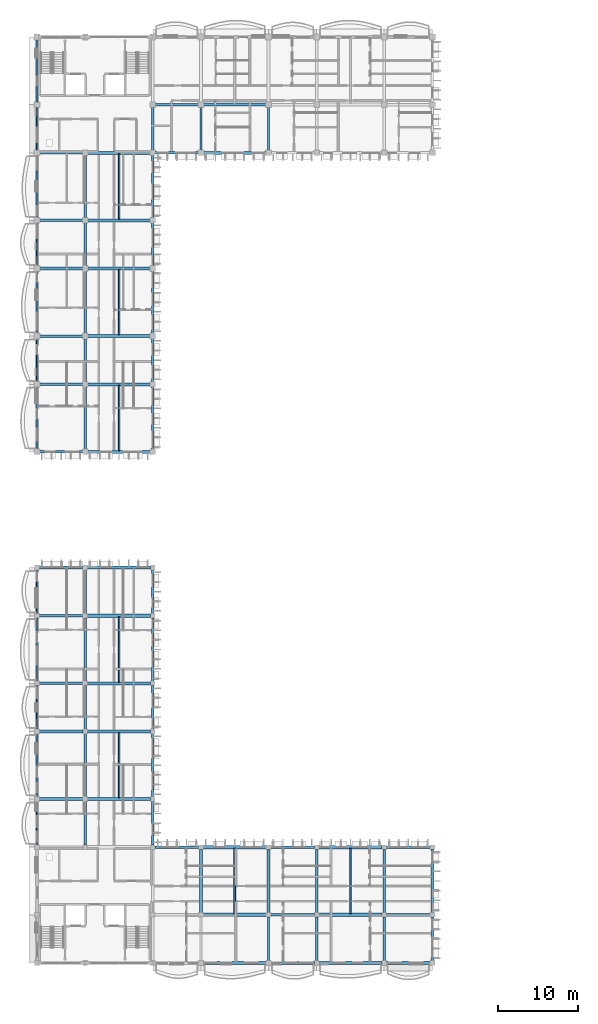
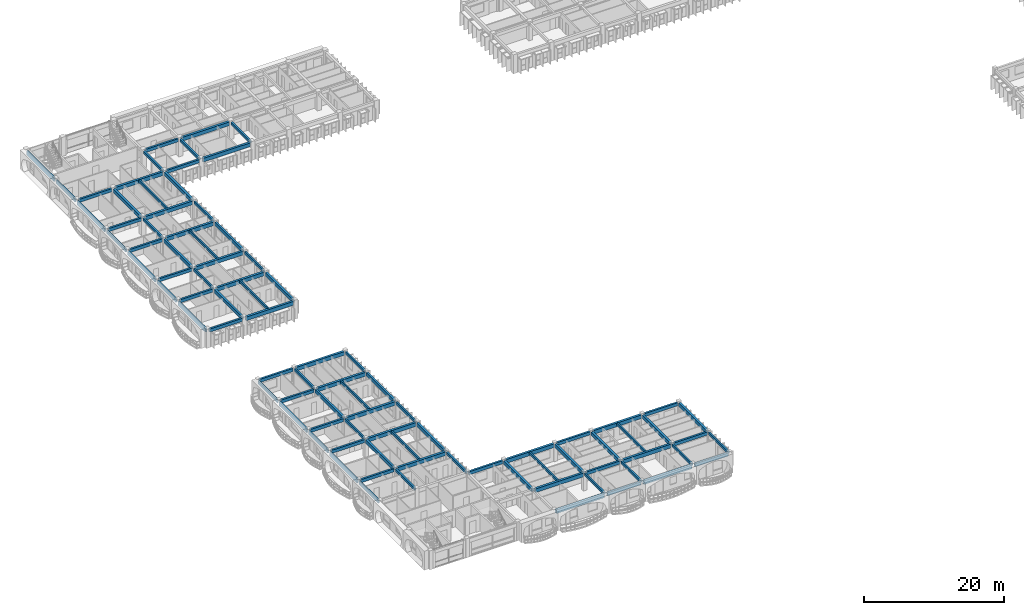
# One storey, part 4 of 70: 90 beams.
"""IFC4 building model written with IfcOpenShell, lengths in metres."""

from ifc_helpers import new_model, si_unit, direction, frame, origin, origin_2d, place, context, subcontext, project, spatial, rectangle, extrude, material, material_profile, profile_set, type_object, element, save


model = new_model("IFC4")

# Units and contexts
model_context = context("Model", 3, precision=1e-05, world=origin(), true_north=direction((0.0, 1.0)))
body_context = subcontext(model_context, "Body", "Model", "MODEL_VIEW")
ifc_project = project(units=[si_unit("LENGTHUNIT", "METRE"), si_unit("AREAUNIT", "SQUARE_METRE"), si_unit("VOLUMEUNIT", "CUBIC_METRE"), si_unit("PLANEANGLEUNIT", "RADIAN"), si_unit("MASSUNIT", "GRAM", prefix="KILO"), si_unit("THERMODYNAMICTEMPERATUREUNIT", "KELVIN")], contexts=[model_context])

# Site, building, storey
site_placement = place(None, origin())
site = spatial("IfcSite", under=ifc_project, at=site_placement, CompositionType="ELEMENT")
building_placement = place(site_placement, origin())
building = spatial("IfcBuilding", under=site, at=building_placement, Name="Thalorik Housing Commons", CompositionType="ELEMENT")
storey_placement = place(building_placement, frame((0.0, 0.0, 14.699951171875)))
storey = spatial("IfcBuildingStorey", under=building, at=storey_placement, Name="L04", CompositionType="ELEMENT", Elevation=14.699951171875)

# Beams
ifc_material = material(Name="Precast concrete C40/50", Category="concrete")
ifc_material_profile_1 = material_profile(ifc_material, rectangle(XDim=0.280029296875, YDim=0.449951171875, at=origin_2d()), Name="PC 280x450", Category="concrete")
ifc_profile_set_1 = profile_set([ifc_material_profile_1], Name="Precast concrete C40/50")
beam_type_1 = type_object("IfcBeamType", Name="STR-BM-PC280x450", PredefinedType="BEAM", material=ifc_profile_set_1)
for number, where, z_axis, x_axis, name in (
    (1, (14.39990234375, 23.050048828125, 2.81494140625), (0.0, 1.0, 0.0), (-1.0, 0.0, 0.0), "L04 Beam B-450"),
    (2, (14.39990234375, 37.449951171875, 2.81494140625), (0.0, 1.0, 0.0), (-1.0, 0.0, 0.0), "L04 Beam B-450"),
    (3, (14.39990234375, 51.85009765625, 2.81494140625), (0.0, 1.0, 0.0), (-1.0, 0.0, 0.0), "L04 Beam B-450"),
):
    element("IfcBeam", number, at=place(storey_placement, frame(where, z_axis=z_axis, x_axis=x_axis)), inside=storey, type_object=beam_type_1, Name=name, PredefinedType="BEAM", context=body_context, shape_type="SweptSolid", body=[
        extrude(rectangle(XDim=0.280029296875, YDim=0.449951171875, at=origin_2d()), origin(), (0.0, 0.0, 1.0), 5.5),
    ])
beam_1_placement = place(storey_placement, frame((14.39990234375, 80.699951171875, 2.81494140625), z_axis=(0.0, 1.0, 0.0), x_axis=(-1.0, 0.0, 0.0)))
element("IfcBeam", 4, at=beam_1_placement, inside=storey, type_object=beam_type_1, Name="L04 Beam B-450", PredefinedType="BEAM", context=body_context, shape_type="SweptSolid", body=[
    extrude(rectangle(XDim=0.280029296875, YDim=0.449951171875, at=origin_2d()), origin(), (0.0, 0.0, 1.0), 5.400146484375),
])
beam_2_placement = place(storey_placement, frame((14.39990234375, 95.10009765625, 2.81494140625), z_axis=(0.0, 1.0, 0.0), x_axis=(-1.0, 0.0, 0.0)))
element("IfcBeam", 5, at=beam_2_placement, inside=storey, type_object=beam_type_1, Name="L04 Beam B-450", PredefinedType="BEAM", context=body_context, shape_type="SweptSolid", body=[
    extrude(rectangle(XDim=0.280029296875, YDim=0.449951171875, at=origin_2d()), origin(), (0.0, 0.0, 1.0), 5.39990234375),
])
for number, where, z_axis, x_axis, name in (
    (6, (22.800048828125, 23.050048828125, 2.81494140625), (0.0, 1.0, 0.0), (-1.0, 0.0, 0.0), "L04 Beam B-450"),
    (7, (22.800048828125, 37.449951171875, 2.81494140625), (0.0, 1.0, 0.0), (-1.0, 0.0, 0.0), "L04 Beam B-450"),
    (8, (22.800048828125, 51.85009765625, 2.81494140625), (0.0, 1.0, 0.0), (-1.0, 0.0, 0.0), "L04 Beam B-450"),
):
    element("IfcBeam", number, at=place(storey_placement, frame(where, z_axis=z_axis, x_axis=x_axis)), inside=storey, type_object=beam_type_1, Name=name, PredefinedType="BEAM", context=body_context, shape_type="SweptSolid", body=[
        extrude(rectangle(XDim=0.280029296875, YDim=0.449951171875, at=origin_2d()), origin(), (0.0, 0.0, 1.0), 5.5),
    ])
beam_3_placement = place(storey_placement, frame((22.800048828125, 80.699951171875, 2.81494140625), z_axis=(0.0, 1.0, 0.0), x_axis=(-1.0, 0.0, 0.0)))
element("IfcBeam", 9, at=beam_3_placement, inside=storey, type_object=beam_type_1, Name="L04 Beam B-450", PredefinedType="BEAM", context=body_context, shape_type="SweptSolid", body=[
    extrude(rectangle(XDim=0.280029296875, YDim=0.449951171875, at=origin_2d()), origin(), (0.0, 0.0, 1.0), 5.400146484375),
])
for number, where, z_axis, x_axis, name in (
    (10, (22.800048828125, 95.10009765625, 2.81494140625), (0.0, 1.0, 0.0), (-1.0, 0.0, 0.0), "L04 Beam B-450"),
    (11, (22.800048828125, 109.5, 2.81494140625), (0.0, 1.0, 0.0), (-1.0, 0.0, 0.0), "L04 Beam B-450"),
    (12, (28.800048828125, 109.5, 2.81494140625), (0.0, 1.0, 0.0), (-1.0, 0.0, 0.0), "L04 Beam B-450"),
):
    element("IfcBeam", number, at=place(storey_placement, frame(where, z_axis=z_axis, x_axis=x_axis)), inside=storey, type_object=beam_type_1, Name=name, PredefinedType="BEAM", context=body_context, shape_type="SweptSolid", body=[
        extrude(rectangle(XDim=0.280029296875, YDim=0.449951171875, at=origin_2d()), origin(), (0.0, 0.0, 1.0), 5.39990234375),
    ])
beam_4_placement = place(storey_placement, frame((37.199951171875, 8.64990234375, 2.81494140625), z_axis=(0.0, 1.0, 0.0), x_axis=(-1.0, 0.0, 0.0)))
element("IfcBeam", 13, at=beam_4_placement, inside=storey, type_object=beam_type_1, Name="L04 Beam B-450", PredefinedType="BEAM", context=body_context, shape_type="SweptSolid", body=[
    extrude(rectangle(XDim=0.280029296875, YDim=0.449951171875, at=origin_2d()), origin(), (0.0, 0.0, 1.0), 5.5),
])
beam_5_placement = place(storey_placement, frame((37.199951171875, 109.5, 2.81494140625), z_axis=(0.0, 1.0, 0.0), x_axis=(-1.0, 0.0, 0.0)))
element("IfcBeam", 14, at=beam_5_placement, inside=storey, type_object=beam_type_1, Name="L04 Beam B-450", PredefinedType="BEAM", context=body_context, shape_type="SweptSolid", body=[
    extrude(rectangle(XDim=0.280029296875, YDim=0.449951171875, at=origin_2d()), origin(), (0.0, 0.0, 1.0), 5.39990234375),
])
for number, where, z_axis, x_axis, name in (
    (15, (43.199951171875, 8.64990234375, 2.81494140625), (0.0, 1.0, 0.0), (-1.0, 0.0, 0.0), "L04 Beam B-450"),
    (16, (51.60009765625, 8.64990234375, 2.81494140625), (0.0, 1.0, 0.0), (-1.0, 0.0, 0.0), "L04 Beam B-450"),
    (17, (57.60009765625, 8.64990234375, 2.81494140625), (0.0, 1.0, 0.0), (-1.0, 0.0, 0.0), "L04 Beam B-450"),
):
    element("IfcBeam", number, at=place(storey_placement, frame(where, z_axis=z_axis, x_axis=x_axis)), inside=storey, type_object=beam_type_1, Name=name, PredefinedType="BEAM", context=body_context, shape_type="SweptSolid", body=[
        extrude(rectangle(XDim=0.280029296875, YDim=0.449951171875, at=origin_2d()), origin(), (0.0, 0.0, 1.0), 5.5),
    ])
ifc_material_profile_2 = material_profile(ifc_material, rectangle(XDim=0.320068359375, YDim=0.550048828125, at=origin_2d()), Name="PC 320x550", Category="concrete")
ifc_profile_set_2 = profile_set([ifc_material_profile_2], Name="Precast concrete C40/50")
beam_type_2 = type_object("IfcBeamType", Name="STR-BM-PC320x550", PredefinedType="BEAM", material=ifc_profile_set_2)
for number, where, z_axis, x_axis, name in (
    (18, (37.449951171875, 8.39990234375, 2.76513671875), (1.0, 0.0, 0.0), (0.0, 1.0, 0.0), "L04 Beam B-550"),
    (19, (51.85009765625, 8.39990234375, 2.76513671875), (1.0, 0.0, 0.0), (0.0, 1.0, 0.0), "L04 Beam B-550"),
    (20, (37.449951171875, 14.39990234375, 2.76513671875), (1.0, 0.0, 0.0), (0.0, 1.0, 0.0), "L04 Beam B-550"),
    (21, (51.85009765625, 14.39990234375, 2.76513671875), (1.0, 0.0, 0.0), (0.0, 1.0, 0.0), "L04 Beam B-550"),
    (22, (23.050048828125, 22.800048828125, 2.76513671875), (1.0, 0.0, 0.0), (0.0, 1.0, 0.0), "L04 Beam B-550"),
    (23, (37.449951171875, 22.800048828125, 2.76513671875), (1.0, 0.0, 0.0), (0.0, 1.0, 0.0), "L04 Beam B-550"),
    (24, (51.85009765625, 22.800048828125, 2.76513671875), (1.0, 0.0, 0.0), (0.0, 1.0, 0.0), "L04 Beam B-550"),
    (25, (8.64990234375, 28.800048828125, 2.76513671875), (1.0, 0.0, 0.0), (0.0, 1.0, 0.0), "L04 Beam B-550"),
    (26, (8.64990234375, 37.199951171875, 2.76513671875), (1.0, 0.0, 0.0), (0.0, 1.0, 0.0), "L04 Beam B-550"),
    (27, (8.64990234375, 43.199951171875, 2.76513671875), (1.0, 0.0, 0.0), (0.0, 1.0, 0.0), "L04 Beam B-550"),
    (28, (8.64990234375, 51.60009765625, 2.76513671875), (1.0, 0.0, 0.0), (0.0, 1.0, 0.0), "L04 Beam B-550"),
    (29, (8.64990234375, 57.60009765625, 2.76513671875), (1.0, 0.0, 0.0), (0.0, 1.0, 0.0), "L04 Beam B-550"),
):
    element("IfcBeam", number, at=place(storey_placement, frame(where, z_axis=z_axis, x_axis=x_axis)), inside=storey, type_object=beam_type_2, Name=name, PredefinedType="BEAM", context=body_context, shape_type="SweptSolid", body=[
        extrude(rectangle(XDim=0.320068359375, YDim=0.550048828125, at=origin_2d()), origin(), (0.0, 0.0, 1.0), 5.5),
    ])
for number, where, z_axis, x_axis, name in (
    (30, (8.699951171875, 72.0, 2.76513671875), (1.0, 0.0, 0.0), (0.0, 1.0, 0.0), "L04 Beam B-550"),
    (31, (8.699951171875, 80.39990234375, 2.76513671875), (1.0, 0.0, 0.0), (0.0, 1.0, 0.0), "L04 Beam B-550"),
    (32, (8.699951171875, 86.39990234375, 2.76513671875), (1.0, 0.0, 0.0), (0.0, 1.0, 0.0), "L04 Beam B-550"),
    (33, (8.699951171875, 94.800048828125, 2.76513671875), (1.0, 0.0, 0.0), (0.0, 1.0, 0.0), "L04 Beam B-550"),
    (34, (8.699951171875, 100.800048828125, 2.76513671875), (1.0, 0.0, 0.0), (0.0, 1.0, 0.0), "L04 Beam B-550"),
    (35, (8.699951171875, 109.199951171875, 2.76513671875), (1.0, 0.0, 0.0), (0.0, 1.0, 0.0), "L04 Beam B-550"),
):
    element("IfcBeam", number, at=place(storey_placement, frame(where, z_axis=z_axis, x_axis=x_axis)), inside=storey, type_object=beam_type_2, Name=name, PredefinedType="BEAM", context=body_context, shape_type="SweptSolid", body=[
        extrude(rectangle(XDim=0.320068359375, YDim=0.550048828125, at=origin_2d()), origin(), (0.0, 0.0, 1.0), 5.400146484375),
    ])
for number, where, z_axis, x_axis, name in (
    (36, (23.10009765625, 109.199951171875, 2.76513671875), (1.0, 0.0, 0.0), (0.0, 1.0, 0.0), "L04 Beam B-550"),
    (37, (23.10009765625, 115.199951171875, 2.76513671875), (1.0, 0.0, 0.0), (0.0, 1.0, 0.0), "L04 Beam B-550"),
):
    element("IfcBeam", number, at=place(storey_placement, frame(where, z_axis=z_axis, x_axis=x_axis)), inside=storey, type_object=beam_type_2, Name=name, PredefinedType="BEAM", context=body_context, shape_type="SweptSolid", body=[
        extrude(rectangle(XDim=0.320068359375, YDim=0.550048828125, at=origin_2d()), origin(), (0.0, 0.0, 1.0), 5.39990234375),
    ])
ifc_material_profile_3 = material_profile(ifc_material, rectangle(XDim=0.35009765625, YDim=0.60009765625, at=origin_2d()), Name="PC 350x600", Category="concrete")
ifc_profile_set_3 = profile_set([ifc_material_profile_3], Name="Precast concrete C40/50")
beam_type_3 = type_object("IfcBeamType", Name="STR-BM-PC350x600", PredefinedType="BEAM", material=ifc_profile_set_3)
beam_6_placement = place(storey_placement, frame((14.39990234375, 29.050048828125, 2.739990234375), z_axis=(0.0, 1.0, 0.0), x_axis=(-1.0, 0.0, 0.0)))
element("IfcBeam", 38, at=beam_6_placement, inside=storey, type_object=beam_type_3, Name="L04 Beam B-600", PredefinedType="BEAM", context=body_context, shape_type="SweptSolid", body=[
    extrude(rectangle(XDim=0.35009765625, YDim=0.60009765625, at=origin_2d()), origin(), (0.0, 0.0, 1.0), 7.89990234375),
])
beam_7_placement = place(storey_placement, frame((14.39990234375, 43.449951171875, 2.739990234375), z_axis=(0.0, 1.0, 0.0), x_axis=(-1.0, 0.0, 0.0)))
element("IfcBeam", 39, at=beam_7_placement, inside=storey, type_object=beam_type_3, Name="L04 Beam B-600", PredefinedType="BEAM", context=body_context, shape_type="SweptSolid", body=[
    extrude(rectangle(XDim=0.35009765625, YDim=0.60009765625, at=origin_2d()), origin(), (0.0, 0.0, 1.0), 7.900146484375),
])
for number, where, z_axis, x_axis, name in (
    (40, (14.39990234375, 72.300048828125, 2.739990234375), (0.0, 1.0, 0.0), (-1.0, 0.0, 0.0), "L04 Beam B-600"),
    (41, (14.39990234375, 86.699951171875, 2.739990234375), (0.0, 1.0, 0.0), (-1.0, 0.0, 0.0), "L04 Beam B-600"),
):
    element("IfcBeam", number, at=place(storey_placement, frame(where, z_axis=z_axis, x_axis=x_axis)), inside=storey, type_object=beam_type_3, Name=name, PredefinedType="BEAM", context=body_context, shape_type="SweptSolid", body=[
        extrude(rectangle(XDim=0.35009765625, YDim=0.60009765625, at=origin_2d()), origin(), (0.0, 0.0, 1.0), 7.800048828125),
    ])
beam_8_placement = place(storey_placement, frame((14.39990234375, 101.10009765625, 2.739990234375), z_axis=(0.0, 1.0, 0.0), x_axis=(-1.0, 0.0, 0.0)))
element("IfcBeam", 42, at=beam_8_placement, inside=storey, type_object=beam_type_3, Name="L04 Beam B-600", PredefinedType="BEAM", context=body_context, shape_type="SweptSolid", body=[
    extrude(rectangle(XDim=0.35009765625, YDim=0.60009765625, at=origin_2d()), origin(), (0.0, 0.0, 1.0), 7.7998046875),
])
beam_9_placement = place(storey_placement, frame((22.800048828125, 29.050048828125, 2.739990234375), z_axis=(0.0, 1.0, 0.0), x_axis=(-1.0, 0.0, 0.0)))
element("IfcBeam", 43, at=beam_9_placement, inside=storey, type_object=beam_type_3, Name="L04 Beam B-600", PredefinedType="BEAM", context=body_context, shape_type="SweptSolid", body=[
    extrude(rectangle(XDim=0.35009765625, YDim=0.60009765625, at=origin_2d()), origin(), (0.0, 0.0, 1.0), 7.89990234375),
])
beam_10_placement = place(storey_placement, frame((22.800048828125, 43.449951171875, 2.739990234375), z_axis=(0.0, 1.0, 0.0), x_axis=(-1.0, 0.0, 0.0)))
element("IfcBeam", 44, at=beam_10_placement, inside=storey, type_object=beam_type_3, Name="L04 Beam B-600", PredefinedType="BEAM", context=body_context, shape_type="SweptSolid", body=[
    extrude(rectangle(XDim=0.35009765625, YDim=0.60009765625, at=origin_2d()), origin(), (0.0, 0.0, 1.0), 7.900146484375),
])
for number, where, z_axis, x_axis, name in (
    (45, (22.800048828125, 72.300048828125, 2.739990234375), (0.0, 1.0, 0.0), (-1.0, 0.0, 0.0), "L04 Beam B-600"),
    (46, (22.800048828125, 86.699951171875, 2.739990234375), (0.0, 1.0, 0.0), (-1.0, 0.0, 0.0), "L04 Beam B-600"),
):
    element("IfcBeam", number, at=place(storey_placement, frame(where, z_axis=z_axis, x_axis=x_axis)), inside=storey, type_object=beam_type_3, Name=name, PredefinedType="BEAM", context=body_context, shape_type="SweptSolid", body=[
        extrude(rectangle(XDim=0.35009765625, YDim=0.60009765625, at=origin_2d()), origin(), (0.0, 0.0, 1.0), 7.800048828125),
    ])
beam_11_placement = place(storey_placement, frame((22.800048828125, 101.10009765625, 2.739990234375), z_axis=(0.0, 1.0, 0.0), x_axis=(-1.0, 0.0, 0.0)))
element("IfcBeam", 47, at=beam_11_placement, inside=storey, type_object=beam_type_3, Name="L04 Beam B-600", PredefinedType="BEAM", context=body_context, shape_type="SweptSolid", body=[
    extrude(rectangle(XDim=0.35009765625, YDim=0.60009765625, at=origin_2d()), origin(), (0.0, 0.0, 1.0), 7.7998046875),
])
for number, where, z_axis, x_axis, name in (
    (48, (28.800048828125, 14.64990234375, 2.739990234375), (0.0, 1.0, 0.0), (-1.0, 0.0, 0.0), "L04 Beam B-600"),
    (49, (37.199951171875, 14.64990234375, 2.739990234375), (0.0, 1.0, 0.0), (-1.0, 0.0, 0.0), "L04 Beam B-600"),
    (50, (43.199951171875, 14.64990234375, 2.739990234375), (0.0, 1.0, 0.0), (-1.0, 0.0, 0.0), "L04 Beam B-600"),
    (51, (51.60009765625, 14.64990234375, 2.739990234375), (0.0, 1.0, 0.0), (-1.0, 0.0, 0.0), "L04 Beam B-600"),
    (52, (57.60009765625, 14.64990234375, 2.739990234375), (0.0, 1.0, 0.0), (-1.0, 0.0, 0.0), "L04 Beam B-600"),
):
    element("IfcBeam", number, at=place(storey_placement, frame(where, z_axis=z_axis, x_axis=x_axis)), inside=storey, type_object=beam_type_3, Name=name, PredefinedType="BEAM", context=body_context, shape_type="SweptSolid", body=[
        extrude(rectangle(XDim=0.35009765625, YDim=0.60009765625, at=origin_2d()), origin(), (0.0, 0.0, 1.0), 7.900146484375),
    ])
ifc_material_profile_4 = material_profile(ifc_material, rectangle(XDim=0.3798828125, YDim=0.64990234375, at=origin_2d()), Name="PC 380x650", Category="concrete")
ifc_profile_set_4 = profile_set([ifc_material_profile_4], Name="Precast concrete C40/50")
beam_type_4 = type_object("IfcBeamType", Name="STR-BM-PC380x650", PredefinedType="BEAM", material=ifc_profile_set_4)
beam_12_placement = place(storey_placement, frame((29.050048828125, 8.39990234375, 2.715087890625), z_axis=(1.0, 0.0, 0.0), x_axis=(0.0, 1.0, 0.0)))
element("IfcBeam", 53, at=beam_12_placement, inside=storey, type_object=beam_type_4, Name="L04 Beam B-650", PredefinedType="BEAM", context=body_context, shape_type="SweptSolid", body=[
    extrude(rectangle(XDim=0.3798828125, YDim=0.64990234375, at=origin_2d()), origin(), (0.0, 0.0, 1.0), 7.89990234375),
])
beam_13_placement = place(storey_placement, frame((43.449951171875, 8.39990234375, 2.715087890625), z_axis=(1.0, 0.0, 0.0), x_axis=(0.0, 1.0, 0.0)))
element("IfcBeam", 54, at=beam_13_placement, inside=storey, type_object=beam_type_4, Name="L04 Beam B-650", PredefinedType="BEAM", context=body_context, shape_type="SweptSolid", body=[
    extrude(rectangle(XDim=0.3798828125, YDim=0.64990234375, at=origin_2d()), origin(), (0.0, 0.0, 1.0), 7.900146484375),
])
beam_14_placement = place(storey_placement, frame((29.050048828125, 14.39990234375, 2.715087890625), z_axis=(1.0, 0.0, 0.0), x_axis=(0.0, 1.0, 0.0)))
element("IfcBeam", 55, at=beam_14_placement, inside=storey, type_object=beam_type_4, Name="L04 Beam B-650", PredefinedType="BEAM", context=body_context, shape_type="SweptSolid", body=[
    extrude(rectangle(XDim=0.3798828125, YDim=0.64990234375, at=origin_2d()), origin(), (0.0, 0.0, 1.0), 7.89990234375),
])
beam_15_placement = place(storey_placement, frame((43.449951171875, 14.39990234375, 2.715087890625), z_axis=(1.0, 0.0, 0.0), x_axis=(0.0, 1.0, 0.0)))
element("IfcBeam", 56, at=beam_15_placement, inside=storey, type_object=beam_type_4, Name="L04 Beam B-650", PredefinedType="BEAM", context=body_context, shape_type="SweptSolid", body=[
    extrude(rectangle(XDim=0.3798828125, YDim=0.64990234375, at=origin_2d()), origin(), (0.0, 0.0, 1.0), 7.900146484375),
])
beam_16_placement = place(storey_placement, frame((29.050048828125, 22.800048828125, 2.715087890625), z_axis=(1.0, 0.0, 0.0), x_axis=(0.0, 1.0, 0.0)))
element("IfcBeam", 57, at=beam_16_placement, inside=storey, type_object=beam_type_4, Name="L04 Beam B-650", PredefinedType="BEAM", context=body_context, shape_type="SweptSolid", body=[
    extrude(rectangle(XDim=0.3798828125, YDim=0.64990234375, at=origin_2d()), origin(), (0.0, 0.0, 1.0), 7.89990234375),
])
for number, where, z_axis, x_axis, name in (
    (58, (43.449951171875, 22.800048828125, 2.715087890625), (1.0, 0.0, 0.0), (0.0, 1.0, 0.0), "L04 Beam B-650"),
    (59, (14.64990234375, 28.800048828125, 2.715087890625), (1.0, 0.0, 0.0), (0.0, 1.0, 0.0), "L04 Beam B-650"),
    (60, (14.64990234375, 37.199951171875, 2.715087890625), (1.0, 0.0, 0.0), (0.0, 1.0, 0.0), "L04 Beam B-650"),
    (61, (14.64990234375, 43.199951171875, 2.715087890625), (1.0, 0.0, 0.0), (0.0, 1.0, 0.0), "L04 Beam B-650"),
    (62, (14.64990234375, 51.60009765625, 2.715087890625), (1.0, 0.0, 0.0), (0.0, 1.0, 0.0), "L04 Beam B-650"),
    (63, (14.64990234375, 57.60009765625, 2.715087890625), (1.0, 0.0, 0.0), (0.0, 1.0, 0.0), "L04 Beam B-650"),
):
    element("IfcBeam", number, at=place(storey_placement, frame(where, z_axis=z_axis, x_axis=x_axis)), inside=storey, type_object=beam_type_4, Name=name, PredefinedType="BEAM", context=body_context, shape_type="SweptSolid", body=[
        extrude(rectangle(XDim=0.3798828125, YDim=0.64990234375, at=origin_2d()), origin(), (0.0, 0.0, 1.0), 7.900146484375),
    ])
for number, where, z_axis, x_axis, name in (
    (64, (14.699951171875, 72.0, 2.715087890625), (1.0, 0.0, 0.0), (0.0, 1.0, 0.0), "L04 Beam B-650"),
    (65, (14.699951171875, 80.39990234375, 2.715087890625), (1.0, 0.0, 0.0), (0.0, 1.0, 0.0), "L04 Beam B-650"),
    (66, (14.699951171875, 86.39990234375, 2.715087890625), (1.0, 0.0, 0.0), (0.0, 1.0, 0.0), "L04 Beam B-650"),
    (67, (14.699951171875, 94.800048828125, 2.715087890625), (1.0, 0.0, 0.0), (0.0, 1.0, 0.0), "L04 Beam B-650"),
    (68, (14.699951171875, 100.800048828125, 2.715087890625), (1.0, 0.0, 0.0), (0.0, 1.0, 0.0), "L04 Beam B-650"),
    (69, (14.699951171875, 109.199951171875, 2.715087890625), (1.0, 0.0, 0.0), (0.0, 1.0, 0.0), "L04 Beam B-650"),
):
    element("IfcBeam", number, at=place(storey_placement, frame(where, z_axis=z_axis, x_axis=x_axis)), inside=storey, type_object=beam_type_4, Name=name, PredefinedType="BEAM", context=body_context, shape_type="SweptSolid", body=[
        extrude(rectangle(XDim=0.3798828125, YDim=0.64990234375, at=origin_2d()), origin(), (0.0, 0.0, 1.0), 7.800048828125),
    ])
for number, where, z_axis, x_axis, name in (
    (70, (29.10009765625, 109.199951171875, 2.715087890625), (1.0, 0.0, 0.0), (0.0, 1.0, 0.0), "L04 Beam B-650"),
    (71, (29.10009765625, 115.199951171875, 2.715087890625), (1.0, 0.0, 0.0), (0.0, 1.0, 0.0), "L04 Beam B-650"),
):
    element("IfcBeam", number, at=place(storey_placement, frame(where, z_axis=z_axis, x_axis=x_axis)), inside=storey, type_object=beam_type_4, Name=name, PredefinedType="BEAM", context=body_context, shape_type="SweptSolid", body=[
        extrude(rectangle(XDim=0.3798828125, YDim=0.64990234375, at=origin_2d()), origin(), (0.0, 0.0, 1.0), 7.7998046875),
    ])
ifc_material_profile_5 = material_profile(ifc_material, rectangle(XDim=0.239990234375, YDim=0.43994140625, at=origin_2d()), Name="PC JST 240x440", Category="concrete")
ifc_profile_set_5 = profile_set([ifc_material_profile_5], Name="Precast concrete C40/50")
beam_type_5 = type_object("IfcBeamType", Name="STR-JST-PC240x440", PredefinedType="JOIST", material=ifc_profile_set_5)
for number, where, z_axis, x_axis, name in (
    (72, (33.0, 14.5400390625, 2.820068359375), (0.0, 1.0, 0.0), (-1.0, 0.0, 0.0), "L04 Beam J-440"),
    (73, (47.39990234375, 14.5400390625, 2.820068359375), (0.0, 1.0, 0.0), (-1.0, 0.0, 0.0), "L04 Beam J-440"),
):
    element("IfcBeam", number, at=place(storey_placement, frame(where, z_axis=z_axis, x_axis=x_axis)), inside=storey, type_object=beam_type_5, Name=name, PredefinedType="JOIST", context=body_context, shape_type="SweptSolid", body=[
        extrude(rectangle(XDim=0.239990234375, YDim=0.43994140625, at=origin_2d()), origin(), (0.0, 0.0, 1.0), 8.119873046875),
    ])
beam_17_placement = place(storey_placement, frame((18.60009765625, 28.93994140625, 2.820068359375), z_axis=(0.0, 1.0, 0.0), x_axis=(-1.0, 0.0, 0.0)))
element("IfcBeam", 74, at=beam_17_placement, inside=storey, type_object=beam_type_5, Name="L04 Beam J-440", PredefinedType="JOIST", context=body_context, shape_type="SweptSolid", body=[
    extrude(rectangle(XDim=0.239990234375, YDim=0.43994140625, at=origin_2d()), origin(), (0.0, 0.0, 1.0), 8.1201171875),
])
beam_18_placement = place(storey_placement, frame((18.60009765625, 43.340087890625, 2.820068359375), z_axis=(0.0, 1.0, 0.0), x_axis=(-1.0, 0.0, 0.0)))
element("IfcBeam", 75, at=beam_18_placement, inside=storey, type_object=beam_type_5, Name="L04 Beam J-440", PredefinedType="JOIST", context=body_context, shape_type="SweptSolid", body=[
    extrude(rectangle(XDim=0.239990234375, YDim=0.43994140625, at=origin_2d()), origin(), (0.0, 0.0, 1.0), 8.119873046875),
])
beam_19_placement = place(storey_placement, frame((18.60009765625, 72.139892578125, 2.820068359375), z_axis=(0.0, 1.0, 0.0), x_axis=(-1.0, 0.0, 0.0)))
element("IfcBeam", 76, at=beam_19_placement, inside=storey, type_object=beam_type_5, Name="L04 Beam J-440", PredefinedType="JOIST", context=body_context, shape_type="SweptSolid", body=[
    extrude(rectangle(XDim=0.239990234375, YDim=0.43994140625, at=origin_2d()), origin(), (0.0, 0.0, 1.0), 8.1201171875),
])
beam_20_placement = place(storey_placement, frame((18.60009765625, 86.5400390625, 2.820068359375), z_axis=(0.0, 1.0, 0.0), x_axis=(-1.0, 0.0, 0.0)))
element("IfcBeam", 77, at=beam_20_placement, inside=storey, type_object=beam_type_5, Name="L04 Beam J-440", PredefinedType="JOIST", context=body_context, shape_type="SweptSolid", body=[
    extrude(rectangle(XDim=0.239990234375, YDim=0.43994140625, at=origin_2d()), origin(), (0.0, 0.0, 1.0), 8.119873046875),
])
beam_21_placement = place(storey_placement, frame((18.60009765625, 100.93994140625, 2.820068359375), z_axis=(0.0, 1.0, 0.0), x_axis=(-1.0, 0.0, 0.0)))
element("IfcBeam", 78, at=beam_21_placement, inside=storey, type_object=beam_type_5, Name="L04 Beam J-440", PredefinedType="JOIST", context=body_context, shape_type="SweptSolid", body=[
    extrude(rectangle(XDim=0.239990234375, YDim=0.43994140625, at=origin_2d()), origin(), (0.0, 0.0, 1.0), 8.1201171875),
])
ifc_material_profile_6 = material_profile(ifc_material, rectangle(XDim=0.239990234375, YDim=0.580078125, at=origin_2d()), Name="PC SP 240x580", Category="concrete")
ifc_profile_set_6 = profile_set([ifc_material_profile_6], Name="Precast concrete C40/50")
beam_type_6 = type_object("IfcBeamType", Name="STR-SP-PC240x580", PredefinedType="SPANDREL", material=ifc_profile_set_6)
for number, where, z_axis, x_axis, name in (
    (79, (8.39990234375, 23.050048828125, 2.75), (0.0, 1.0, 0.0), (-1.0, 0.0, 0.0), "L04 Beam B-450"),
    (80, (8.39990234375, 37.449951171875, 2.75), (0.0, 1.0, 0.0), (-1.0, 0.0, 0.0), "L04 Beam B-450"),
    (81, (8.39990234375, 51.85009765625, 2.75), (0.0, 1.0, 0.0), (-1.0, 0.0, 0.0), "L04 Beam B-450"),
):
    element("IfcBeam", number, at=place(storey_placement, frame(where, z_axis=z_axis, x_axis=x_axis)), inside=storey, type_object=beam_type_6, Name=name, PredefinedType="SPANDREL", context=body_context, shape_type="SweptSolid", body=[
        extrude(rectangle(XDim=0.239990234375, YDim=0.580078125, at=origin_2d()), origin(), (0.0, 0.0, 1.0), 5.5),
    ])
beam_22_placement = place(storey_placement, frame((8.39990234375, 80.699951171875, 2.75), z_axis=(0.0, 1.0, 0.0), x_axis=(-1.0, 0.0, 0.0)))
element("IfcBeam", 82, at=beam_22_placement, inside=storey, type_object=beam_type_6, Name="L04 Beam B-450", PredefinedType="SPANDREL", context=body_context, shape_type="SweptSolid", body=[
    extrude(rectangle(XDim=0.239990234375, YDim=0.580078125, at=origin_2d()), origin(), (0.0, 0.0, 1.0), 5.400146484375),
])
for number, where, z_axis, x_axis, name in (
    (83, (8.39990234375, 95.10009765625, 2.75), (0.0, 1.0, 0.0), (-1.0, 0.0, 0.0), "L04 Beam B-450"),
    (84, (8.39990234375, 109.5, 2.75), (0.0, 1.0, 0.0), (-1.0, 0.0, 0.0), "L04 Beam B-450"),
):
    element("IfcBeam", number, at=place(storey_placement, frame(where, z_axis=z_axis, x_axis=x_axis)), inside=storey, type_object=beam_type_6, Name=name, PredefinedType="SPANDREL", context=body_context, shape_type="SweptSolid", body=[
        extrude(rectangle(XDim=0.239990234375, YDim=0.580078125, at=origin_2d()), origin(), (0.0, 0.0, 1.0), 5.39990234375),
    ])
ifc_material_profile_7 = material_profile(ifc_material, rectangle(XDim=0.260009765625, YDim=0.679931640625, at=origin_2d()), Name="PC SP 260x680", Category="concrete")
ifc_profile_set_7 = profile_set([ifc_material_profile_7], Name="Precast concrete C40/50")
beam_type_7 = type_object("IfcBeamType", Name="STR-SP-PC260x680", PredefinedType="SPANDREL", material=ifc_profile_set_7)
beam_23_placement = place(storey_placement, frame((8.39990234375, 29.050048828125, 2.699951171875), z_axis=(0.0, 1.0, 0.0), x_axis=(-1.0, 0.0, 0.0)))
element("IfcBeam", 85, at=beam_23_placement, inside=storey, type_object=beam_type_7, Name="L04 Beam B-600", PredefinedType="SPANDREL", context=body_context, shape_type="SweptSolid", body=[
    extrude(rectangle(XDim=0.260009765625, YDim=0.679931640625, at=origin_2d()), origin(), (0.0, 0.0, 1.0), 7.89990234375),
])
beam_24_placement = place(storey_placement, frame((8.39990234375, 43.449951171875, 2.699951171875), z_axis=(0.0, 1.0, 0.0), x_axis=(-1.0, 0.0, 0.0)))
element("IfcBeam", 86, at=beam_24_placement, inside=storey, type_object=beam_type_7, Name="L04 Beam B-600", PredefinedType="SPANDREL", context=body_context, shape_type="SweptSolid", body=[
    extrude(rectangle(XDim=0.260009765625, YDim=0.679931640625, at=origin_2d()), origin(), (0.0, 0.0, 1.0), 7.900146484375),
])
for number, where, z_axis, x_axis, name in (
    (87, (8.39990234375, 72.300048828125, 2.699951171875), (0.0, 1.0, 0.0), (-1.0, 0.0, 0.0), "L04 Beam B-600"),
    (88, (8.39990234375, 86.699951171875, 2.699951171875), (0.0, 1.0, 0.0), (-1.0, 0.0, 0.0), "L04 Beam B-600"),
):
    element("IfcBeam", number, at=place(storey_placement, frame(where, z_axis=z_axis, x_axis=x_axis)), inside=storey, type_object=beam_type_7, Name=name, PredefinedType="SPANDREL", context=body_context, shape_type="SweptSolid", body=[
        extrude(rectangle(XDim=0.260009765625, YDim=0.679931640625, at=origin_2d()), origin(), (0.0, 0.0, 1.0), 7.800048828125),
    ])
beam_25_placement = place(storey_placement, frame((8.39990234375, 101.10009765625, 2.699951171875), z_axis=(0.0, 1.0, 0.0), x_axis=(-1.0, 0.0, 0.0)))
element("IfcBeam", 89, at=beam_25_placement, inside=storey, type_object=beam_type_7, Name="L04 Beam B-600", PredefinedType="SPANDREL", context=body_context, shape_type="SweptSolid", body=[
    extrude(rectangle(XDim=0.260009765625, YDim=0.679931640625, at=origin_2d()), origin(), (0.0, 0.0, 1.0), 7.7998046875),
])
beam_26_placement = place(storey_placement, frame((8.39990234375, 115.5, 2.699951171875), z_axis=(0.0, 1.0, 0.0), x_axis=(-1.0, 0.0, 0.0)))
element("IfcBeam", 90, at=beam_26_placement, inside=storey, type_object=beam_type_7, Name="L04 Beam B-600", PredefinedType="SPANDREL", context=body_context, shape_type="SweptSolid", body=[
    extrude(rectangle(XDim=0.260009765625, YDim=0.679931640625, at=origin_2d()), origin(), (0.0, 0.0, 1.0), 7.800048828125),
])

save(model, "model.ifc")
